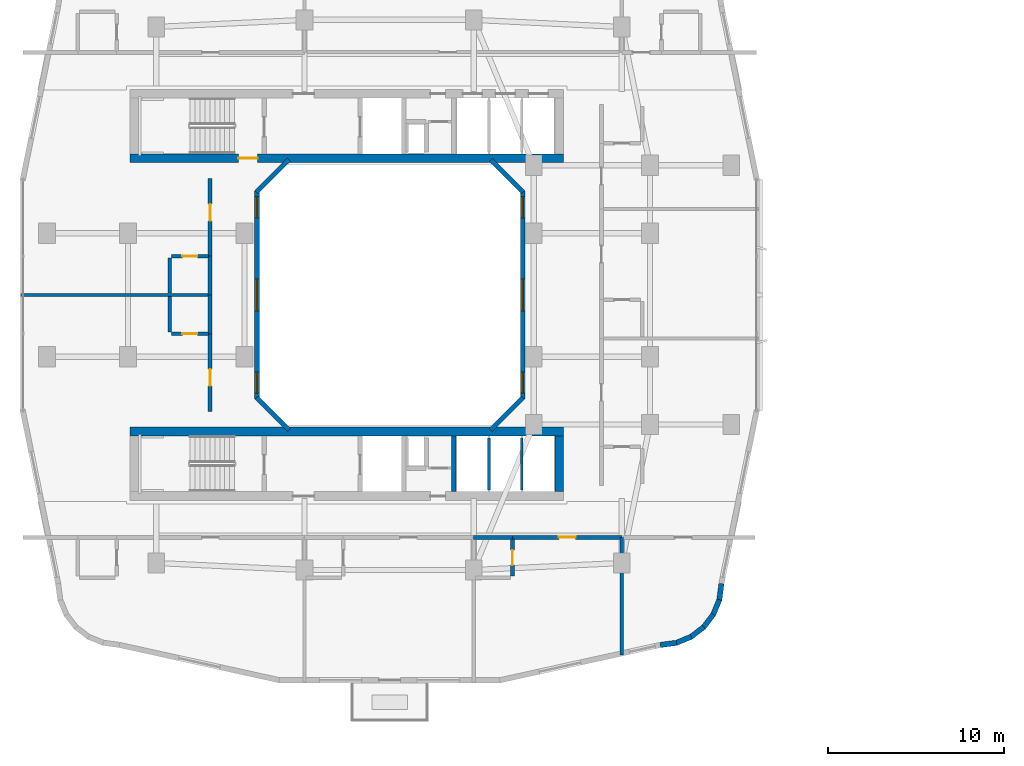
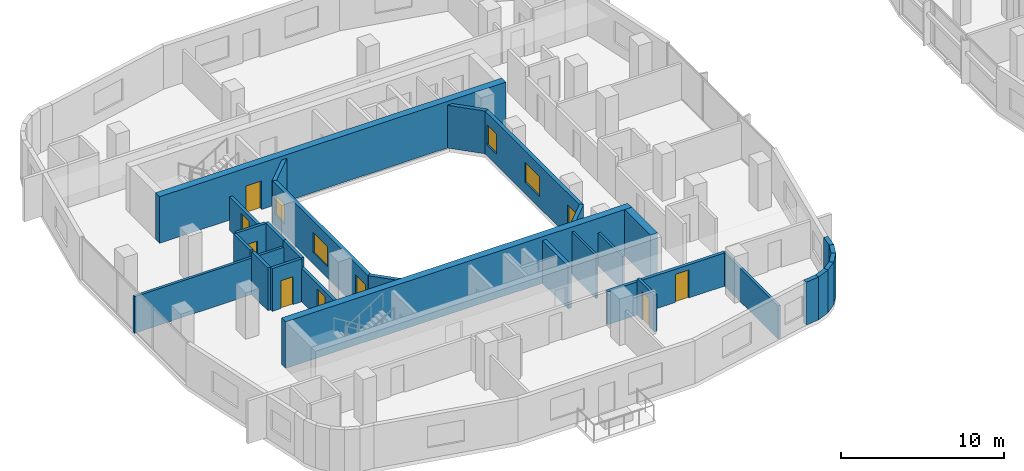
# One storey, part 9 of 22: 31 walls, 7 doors, 6 windows, 13 openings.
"""IFC4 building model written with IfcOpenShell, lengths in metres."""

import ifcopenshell
import ifcopenshell.guid

model = None  # the IFC model being written
_history = None  # IfcOwnerHistory: only IFC2X3 demands one
_inside = {}  # id of a spatial element -> (the spatial element, [elements in it])
_under = {}  # id of a project, library or spatial element -> (it, [spatial elements below it])
_declared = {}  # id of a project -> (the project, [libraries it declares])
_typed = {}  # id of a type object -> (the type object, [elements of that type])
_made_of = {}  # id of a material, layer set ... -> (it, [elements and type objects made of it])


def new_model(schema):
    """Start an empty IFC model of exactly this schema.

    Asked for "IFC4X3", IfcOpenShell would pick the latest addendum, in which some entities
    have other attributes; the version numbers below select the first issue.
    IFC2X3 requires an IfcOwnerHistory on every rooted entity: one is made here for all.
    """
    global model, _history
    if schema == "IFC4X3":
        model = ifcopenshell.file(schema_version=(4, 3, 0, 0))
    else:
        model = ifcopenshell.file(schema=schema)
    _inside.clear()
    _under.clear()
    _declared.clear()
    _typed.clear()
    _made_of.clear()
    _history = None
    if model.schema == "IFC2X3":
        org = make("IfcOrganization", Name="unknown")
        user = make(
            "IfcPersonAndOrganization",
            ThePerson=make("IfcPerson", FamilyName="unknown"),
            TheOrganization=org,
        )
        app = make(
            "IfcApplication",
            ApplicationDeveloper=org,
            Version="unknown",
            ApplicationFullName="unknown",
            ApplicationIdentifier="unknown",
        )
        _history = make(
            "IfcOwnerHistory",
            OwningUser=user,
            OwningApplication=app,
            ChangeAction="ADDED",
            CreationDate=0,
        )
    return model


def make(cls, **values):
    """One entity of the class cls with the attributes given. An attribute that is None is left unset."""
    return model.create_entity(
        cls, **{name: value for name, value in values.items() if value is not None}
    )


def rooted(cls, **values):
    """An entity with a GlobalId (a new one), such as an element, a storey or a relation."""
    return make(cls, GlobalId=ifcopenshell.guid.new(), OwnerHistory=_history, **values)


def si_unit(unit_type, name, prefix=None):
    """IfcSIUnit, for example si_unit("LENGTHUNIT", "METRE", prefix="MILLI")."""
    return make("IfcSIUnit", UnitType=unit_type, Prefix=prefix, Name=name)


def derived_unit(unit_type, elements):
    """IfcDerivedUnit: a product of units, each with its exponent."""
    return make(
        "IfcDerivedUnit",
        Elements=[
            make("IfcDerivedUnitElement", Unit=unit, Exponent=power)
            for unit, power in elements
        ],
        UnitType=unit_type,
    )


def assignment(units):
    """IfcUnitAssignment: the units of a project."""
    return None if units is None else make("IfcUnitAssignment", Units=units)


def point(xyz):
    """IfcCartesianPoint."""
    return None if xyz is None else make("IfcCartesianPoint", Coordinates=xyz)


def direction(xyz):
    """IfcDirection."""
    return None if xyz is None else make("IfcDirection", DirectionRatios=xyz)


def frame(location, z_axis=None, x_axis=None):
    """IfcAxis2Placement3D, a coordinate frame: its origin and axes. An axis left out is left unset."""
    return make(
        "IfcAxis2Placement3D",
        Location=point(location),
        Axis=direction(z_axis),
        RefDirection=direction(x_axis),
    )


def frame_2d(location, x_axis=None):
    """IfcAxis2Placement2D, a coordinate frame in the plane: its origin and x axis."""
    return make(
        "IfcAxis2Placement2D", Location=point(location), RefDirection=direction(x_axis)
    )


def origin():
    """The frame at (0, 0, 0) with its axes left unset."""
    return frame((0.0, 0.0, 0.0))


def place(relative_to, where):
    """IfcLocalPlacement: puts the frame where relative to a parent placement (None: the world)."""
    return make(
        "IfcLocalPlacement", PlacementRelTo=relative_to, RelativePlacement=where
    )


def context(
    kind, dimensions, precision=None, world=None, true_north=None, identifier=None
):
    """IfcGeometricRepresentationContext, for example the 3D "Model" context."""
    return make(
        "IfcGeometricRepresentationContext",
        ContextIdentifier=identifier,
        ContextType=kind,
        CoordinateSpaceDimension=dimensions,
        Precision=precision,
        WorldCoordinateSystem=world,
        TrueNorth=true_north,
    )


def subcontext(parent, identifier, kind, view, scale=None):
    """IfcGeometricRepresentationSubContext, for example "Body" below "Model"."""
    return make(
        "IfcGeometricRepresentationSubContext",
        ContextIdentifier=identifier,
        ContextType=kind,
        ParentContext=parent,
        TargetScale=scale,
        TargetView=view,
    )


def project(units=None, contexts=None):
    """IfcProject with its units and contexts."""
    return rooted(
        "IfcProject",
        Name="project",
        RepresentationContexts=contexts,
        UnitsInContext=assignment(units),
    )


def spatial(cls, under=None, at=None, **own):
    """A site, building, storey or space (cls), placed at a placement, below another one or the project."""
    s = rooted(cls, ObjectPlacement=at, **own)
    if under is not None:
        _under.setdefault(under.id(), (under, []))[1].append(s)
    return s


def profile(cls, at=None, kind="AREA", **sizes):
    """A parametric profile (cls). Its sizes go by their IFC names, for example OverallWidth=200.0."""
    return make(cls, ProfileType=kind, Position=at, **sizes)


def rectangle(**sizes):
    """IfcRectangleProfileDef."""
    return profile("IfcRectangleProfileDef", **sizes)


def extrude(swept, where, along, depth):
    """IfcExtrudedAreaSolid: the profile swept, set in the frame where, extruded along a direction by depth."""
    return make(
        "IfcExtrudedAreaSolid",
        SweptArea=swept,
        Position=where,
        ExtrudedDirection=direction(along),
        Depth=depth,
    )


def shape(context_of_items, identifier, shape_type, items):
    """IfcShapeRepresentation: the items that make up one representation, for example the "Body"."""
    return make(
        "IfcShapeRepresentation",
        ContextOfItems=context_of_items,
        RepresentationIdentifier=identifier,
        RepresentationType=shape_type,
        Items=items,
    )


def material(Name=None, Category=None):
    """IfcMaterial."""
    return make("IfcMaterial", Name=Name, Category=Category)


def layer(
    of_material, thickness, ventilated=None, Name=None, Category=None, Priority=None
):
    """IfcMaterialLayer: one layer of a wall or slab, of a material (None: an air gap)."""
    return make(
        "IfcMaterialLayer",
        Material=of_material,
        LayerThickness=thickness,
        IsVentilated=ventilated,
        Name=Name,
        Category=Category,
        Priority=Priority,
    )


def layer_set(layers, Name=None):
    """IfcMaterialLayerSet."""
    return make("IfcMaterialLayerSet", MaterialLayers=layers, LayerSetName=Name)


def made_of(thing, what):
    """Note that an element or type object is made of a material, layer set ...; save() writes the relation."""
    if what is not None:
        _made_of.setdefault(what.id(), (what, []))[1].append(thing)
    return thing


def type_object(cls, material=None, **own):
    """A type object (cls), such as IfcWallType, which elements share."""
    return made_of(rooted(cls, **own), material)


def element(
    cls,
    number,
    at=None,
    inside=None,
    cuts=None,
    type_object=None,
    material=None,
    context=None,
    identifier="Body",
    shape_type=None,
    held_by="IfcProductDefinitionShape",
    body=None,
    shapes=None,
    **own,
):
    """One element of the class cls, such as IfcWall. Its Tag is "e" and its number.

    at: its placement. inside: the storey or other place that contains it. cuts: it is an
    opening in that element (IfcRelVoidsElement). A single representation is given by context,
    identifier, shape_type and body (its items); several are given by shapes. held_by: the class
    of the entity that holds the representations. save() writes the other relations.
    """
    e = rooted(cls, Tag="e%d" % number, ObjectPlacement=at, **own)
    if body is not None:
        shapes = [shape(context, identifier, shape_type, body)]
    if shapes is not None:
        e.Representation = make(held_by, Representations=shapes)
    if inside is not None:
        _inside.setdefault(inside.id(), (inside, []))[1].append(e)
    if cuts is not None:
        rooted(
            "IfcRelVoidsElement", RelatingBuildingElement=cuts, RelatedOpeningElement=e
        )
    if type_object is not None:
        _typed.setdefault(type_object.id(), (type_object, []))[1].append(e)
    return made_of(e, material)


def fill(opening, filler):
    """IfcRelFillsElement: the door or window that sits in an opening."""
    return rooted(
        "IfcRelFillsElement",
        RelatingOpeningElement=opening,
        RelatedBuildingElement=filler,
    )


def aggregate(whole, parts):
    """IfcRelAggregates: a whole, such as a stair, and the parts it consists of."""
    return rooted("IfcRelAggregates", RelatingObject=whole, RelatedObjects=parts)


def save(model, path):
    """Write the relations noted so far, then the file.

    IfcRelAggregates (storeys below a building ...), IfcRelContainedInSpatialStructure (elements
    in a storey), IfcRelDefinesByType, IfcRelAssociatesMaterial and IfcRelDeclares: one each for
    every whole, place, type object, material and project.
    """
    for whole, parts in _under.values():
        aggregate(whole, parts)
    for where, things in _inside.values():
        rooted(
            "IfcRelContainedInSpatialStructure",
            RelatedElements=things,
            RelatingStructure=where,
        )
    for kind, things in _typed.values():
        rooted("IfcRelDefinesByType", RelatedObjects=things, RelatingType=kind)
    for what, things in _made_of.values():
        rooted("IfcRelAssociatesMaterial", RelatedObjects=things, RelatingMaterial=what)
    for by, libraries in _declared.values():
        rooted("IfcRelDeclares", RelatingContext=by, RelatedDefinitions=libraries)
    model.write(path)


model = new_model("IFC4")

# Units and contexts
model_context = context("Model", 3, precision=1e-05, world=origin(), true_north=direction((0.0, 1.0)))
body_context = subcontext(model_context, "Body", "Model", "MODEL_VIEW")
ifc_project = project(units=[si_unit("LENGTHUNIT", "METRE"), si_unit("AREAUNIT", "SQUARE_METRE"), si_unit("VOLUMEUNIT", "CUBIC_METRE"), si_unit("PLANEANGLEUNIT", "RADIAN"), si_unit("MASSUNIT", "GRAM", prefix="KILO"), derived_unit("THERMALTRANSMITTANCEUNIT", [(si_unit("POWERUNIT", "WATT"), 1), (si_unit("LENGTHUNIT", "METRE"), -2), (si_unit("THERMODYNAMICTEMPERATUREUNIT", "KELVIN"), -1)])], contexts=[model_context])

# Site, building, storey
site_placement = place(None, origin())
site = spatial("IfcSite", under=ifc_project, at=site_placement, CompositionType="ELEMENT")
building_placement = place(site_placement, origin())
building = spatial("IfcBuilding", under=site, at=building_placement, Name="Kivonza Crest Hotel", CompositionType="ELEMENT")
storey_placement = place(building_placement, frame((0.0, 0.0, 59.0)))
storey = spatial("IfcBuildingStorey", under=building, at=storey_placement, Name="L15", CompositionType="ELEMENT", Elevation=59.0)

# Walls
ifc_material_1 = material(Name="High-density acoustic masonry inter-tenancy wall", Category="masonry")
ifc_layer_1 = layer(ifc_material_1, 0.179931640625)
ifc_layer_set_1 = layer_set([ifc_layer_1], Name="High-density acoustic masonry inter-tenancy wall")
wall_type_1 = type_object("IfcWallType", Name="WL-ACOU-180", PredefinedType="SOLIDWALL", material=ifc_layer_set_1)
wall_1_placement = place(storey_placement, frame((34.199951171875, 4.575927734375, 0.0), z_axis=(0.0, 0.0, 1.0), x_axis=(0.0, 1.0, 0.0)))
element("IfcWall", 1, at=wall_1_placement, inside=storey, type_object=wall_type_1, Name="L15 interior partition WA-L15-T1S-DIV3", PredefinedType="SOLIDWALL", context=body_context, shape_type="SweptSolid", body=[
    extrude(rectangle(XDim=6.674072265625, YDim=0.179931640625, at=frame_2d((3.3369140625, 0.0))), origin(), (0.0, 0.0, 1.0), 2.4951171875),
])
wall_2_placement = place(storey_placement, frame((0.139892578125, 25.0, 0.0), z_axis=(0.0, 0.0, 1.0), x_axis=(1.0, 0.0, 0.0)))
element("IfcWall", 2, at=wall_2_placement, inside=storey, type_object=wall_type_1, Name="L15 interior partition WA-L15-T1W-DIV1", PredefinedType="SOLIDWALL", context=body_context, shape_type="SweptSolid", body=[
    extrude(rectangle(XDim=10.710205078125, YDim=0.179931640625, at=frame_2d((5.35498046875, 0.0))), origin(), (0.0, 0.0, 1.0), 2.7451171875),
])
ifc_material_2 = material(Name="Autoclaved aerated concrete blockwork", Category="masonry")
ifc_layer_2 = layer(ifc_material_2, 0.219970703125)
ifc_layer_set_2 = layer_set([ifc_layer_2], Name="Autoclaved aerated concrete blockwork")
wall_type_2 = type_object("IfcWallType", Name="WL-ACOU-220", PredefinedType="SOLIDWALL", material=ifc_layer_set_2)
wall_3_placement = place(storey_placement, frame((25.800048828125, 11.25, 0.0), z_axis=(0.0, 0.0, 1.0), x_axis=(1.0, 0.0, 0.0)))
element("IfcWall", 3, at=wall_3_placement, inside=storey, type_object=wall_type_2, Name="L15 interior partition WA-L15-S05-BCORR", PredefinedType="SOLIDWALL", context=body_context, shape_type="SweptSolid", body=[
    extrude(rectangle(XDim=2.199951171875, YDim=0.219970703125, at=frame_2d((1.10009765625, 0.0))), origin(), (0.0, 0.0, 1.0), 2.4951171875),
])

# Wall, opening, door
wall_4_placement = place(storey_placement, frame((28.0, 11.25, 0.0), z_axis=(0.0, 0.0, 1.0), x_axis=(1.0, 0.0, 0.0)))
wall_4 = element("IfcWall", 4, at=wall_4_placement, inside=storey, type_object=wall_type_2, Name="L15 interior partition WA-L15-S05-MCORR", PredefinedType="SOLIDWALL", context=body_context, shape_type="SweptSolid", body=[
    extrude(rectangle(XDim=6.199951171875, YDim=0.219970703125, at=frame_2d((3.10009765625, 0.0))), origin(), (0.0, 0.0, 1.0), 2.4951171875),
])
opening_1_placement = place(wall_4_placement, frame((2.625, 0.0, 0.0)))
opening_1 = element("IfcOpeningElement", 5, at=opening_1_placement, cuts=wall_4, Name="Opening DU-60", PredefinedType="OPENING", context=body_context, shape_type="SweptSolid", body=[
    extrude(rectangle(XDim=0.949951171875, YDim=2.10009765625, at=frame_2d((0.47509765625, 1.050048828125))), frame((0.0, 0.1201171875, 0.0), z_axis=(0.0, -1.0, 0.0), x_axis=(1.0, 0.0, 0.0)), (0.0, 0.0, 1.0), 0.239990234375),
])
ifc_material_3 = material(Name="Hardwood timber oak", Category="wood")
door_type_1 = type_object("IfcDoorType", Name="DR-UNIT-950", OperationType="NOTDEFINED", PredefinedType="DOOR", material=ifc_material_3)
door_1_placement = place(opening_1_placement, frame((0.949951171875, 0.0, 0.0), z_axis=(0.0, 0.0, 1.0), x_axis=(-1.0, 0.0, 0.0)))
door_1 = element("IfcDoor", 6, at=door_1_placement, inside=storey, type_object=door_type_1, Name="L15 S05 guest unit entrance fire door", OperationType="SINGLE_SWING_LEFT", OverallHeight=2.10009765625, OverallWidth=0.949951171875, PredefinedType="DOOR", context=body_context, shape_type="SweptSolid", body=[
    extrude(rectangle(XDim=0.949951171875, YDim=2.10009765625, at=frame_2d((0.47509765625, 1.050048828125))), frame((0.0, 0.02490234375, 0.0), z_axis=(0.0, -1.0, 0.0), x_axis=(1.0, 0.0, 0.0)), (0.0, 0.0, 1.0), 0.050048828125),
])
fill(opening_1, door_1)

# Wall
wall_5_placement = place(storey_placement, frame((10.85009765625, 22.800048828125, 0.0), z_axis=(0.0, 0.0, 1.0), x_axis=(0.0, 1.0, 0.0)))
element("IfcWall", 7, at=wall_5_placement, inside=storey, type_object=wall_type_2, Name="L15 interior partition WA-L15-W06-BCORR", PredefinedType="SOLIDWALL", context=body_context, shape_type="SweptSolid", body=[
    extrude(rectangle(XDim=2.199951171875, YDim=0.219970703125, at=frame_2d((1.10009765625, 0.0))), origin(), (0.0, 0.0, 1.0), 3.219970703125),
])

# Wall, opening, door
wall_6_placement = place(storey_placement, frame((10.85009765625, 18.39990234375, 0.0), z_axis=(0.0, 0.0, 1.0), x_axis=(0.0, 1.0, 0.0)))
wall_6 = element("IfcWall", 8, at=wall_6_placement, inside=storey, type_object=wall_type_2, Name="L15 interior partition WA-L15-W06-MCORR", PredefinedType="SOLIDWALL", context=body_context, shape_type="SweptSolid", body=[
    extrude(rectangle(XDim=4.400146484375, YDim=0.219970703125, at=frame_2d((2.2001953125, 0.0))), origin(), (0.0, 0.0, 1.0), 2.4951171875),
])
opening_2_placement = place(wall_6_placement, frame((1.445068359375, 0.0, 0.0)))
opening_2 = element("IfcOpeningElement", 9, at=opening_2_placement, cuts=wall_6, Name="Opening DU-60", PredefinedType="OPENING", context=body_context, shape_type="SweptSolid", body=[
    extrude(rectangle(XDim=0.949951171875, YDim=2.10009765625, at=frame_2d((0.47509765625, 1.050048828125))), frame((0.0, 0.1201171875, 0.0), z_axis=(0.0, -1.0, 0.0), x_axis=(1.0, 0.0, 0.0)), (0.0, 0.0, 1.0), 0.239990234375),
])
door_2_placement = place(opening_2_placement, origin())
door_2 = element("IfcDoor", 10, at=door_2_placement, inside=storey, type_object=door_type_1, Name="L15 W06 guest unit entrance fire door", OperationType="SINGLE_SWING_RIGHT", OverallHeight=2.10009765625, OverallWidth=0.949951171875, PredefinedType="DOOR", context=body_context, shape_type="SweptSolid", body=[
    extrude(rectangle(XDim=0.949951171875, YDim=2.10009765625, at=frame_2d((0.47509765625, 1.050048828125))), frame((0.0, 0.02490234375, 0.0), z_axis=(0.0, -1.0, 0.0), x_axis=(1.0, 0.0, 0.0)), (0.0, 0.0, 1.0), 0.050048828125),
])
fill(opening_2, door_2)

# Wall
wall_7_placement = place(storey_placement, frame((10.85009765625, 25.0, 0.0), z_axis=(0.0, 0.0, 1.0), x_axis=(0.0, 1.0, 0.0)))
element("IfcWall", 11, at=wall_7_placement, inside=storey, type_object=wall_type_2, Name="L15 interior partition WA-L15-W07-BCORR", PredefinedType="SOLIDWALL", context=body_context, shape_type="SweptSolid", body=[
    extrude(rectangle(XDim=2.199951171875, YDim=0.219970703125, at=frame_2d((1.10009765625, 0.0))), origin(), (0.0, 0.0, 1.0), 3.219970703125),
])

# Wall, opening, door
wall_8_placement = place(storey_placement, frame((10.85009765625, 27.199951171875, 0.0), z_axis=(0.0, 0.0, 1.0), x_axis=(0.0, 1.0, 0.0)))
wall_8 = element("IfcWall", 12, at=wall_8_placement, inside=storey, type_object=wall_type_2, Name="L15 interior partition WA-L15-W07-MCORR", PredefinedType="SOLIDWALL", context=body_context, shape_type="SweptSolid", body=[
    extrude(rectangle(XDim=4.400146484375, YDim=0.219970703125, at=frame_2d((2.2001953125, 0.0))), origin(), (0.0, 0.0, 1.0), 2.4951171875),
])
opening_3_placement = place(wall_8_placement, frame((2.0048828125, 0.0, 0.0)))
opening_3 = element("IfcOpeningElement", 13, at=opening_3_placement, cuts=wall_8, Name="Opening DU-60", PredefinedType="OPENING", context=body_context, shape_type="SweptSolid", body=[
    extrude(rectangle(XDim=0.949951171875, YDim=2.10009765625, at=frame_2d((0.47509765625, 1.050048828125))), frame((0.0, 0.1201171875, 0.0), z_axis=(0.0, -1.0, 0.0), x_axis=(1.0, 0.0, 0.0)), (0.0, 0.0, 1.0), 0.239990234375),
])
door_3_placement = place(opening_3_placement, origin())
door_3 = element("IfcDoor", 14, at=door_3_placement, inside=storey, type_object=door_type_1, Name="L15 W07 guest unit entrance fire door", OperationType="SINGLE_SWING_LEFT", OverallHeight=2.10009765625, OverallWidth=0.949951171875, PredefinedType="DOOR", context=body_context, shape_type="SweptSolid", body=[
    extrude(rectangle(XDim=0.949951171875, YDim=2.10009765625, at=frame_2d((0.47509765625, 1.050048828125))), frame((0.0, 0.02490234375, 0.0), z_axis=(0.0, -1.0, 0.0), x_axis=(1.0, 0.0, 0.0)), (0.0, 0.0, 1.0), 0.050048828125),
])
fill(opening_3, door_3)

ifc_material_4 = material(Name="Concrete C60/75", Category="concrete")
ifc_layer_3 = layer(ifc_material_4, 0.5)
ifc_layer_set_3 = layer_set([ifc_layer_3], Name="Concrete C60/75")
wall_type_3 = type_object("IfcWallType", Name="WL-CORE-500", PredefinedType="SHEAR", material=ifc_layer_set_3)
wall_9_placement = place(storey_placement, frame((6.300048828125, 32.75, 0.0), z_axis=(0.0, 0.0, 1.0), x_axis=(1.0, 0.0, 0.0)))
wall_9 = element("IfcWall", 15, at=wall_9_placement, inside=storey, type_object=wall_type_3, Name="Core wall T1-N South L15", PredefinedType="SHEAR", context=body_context, shape_type="SweptSolid", body=[
    extrude(rectangle(XDim=24.599853515625, YDim=0.5, at=frame_2d((12.2998046875, 0.0))), origin(), (0.0, 0.0, 1.0), 3.5),
])
opening_4_placement = place(wall_9_placement, frame((6.14990234375, 0.0, 0.0)))
opening_4 = element("IfcOpeningElement", 16, at=opening_4_placement, cuts=wall_9, Name="Opening DF-120", PredefinedType="OPENING", context=body_context, shape_type="SweptSolid", body=[
    extrude(rectangle(XDim=1.10009765625, YDim=2.14990234375, at=frame_2d((0.550048828125, 1.074951171875))), frame((0.0, 0.260009765625, 0.0), z_axis=(0.0, -1.0, 0.0), x_axis=(1.0, 0.0, 0.0)), (0.0, 0.0, 1.0), 0.52001953125),
])
ifc_material_5 = material(Name="Galvanised steel", Category="steel")
door_type_2 = type_object("IfcDoorType", Name="DR-FD120-1100", OperationType="NOTDEFINED", PredefinedType="DOOR", material=ifc_material_5)
door_4_placement = place(opening_4_placement, origin())
door_4 = element("IfcDoor", 17, at=door_4_placement, inside=storey, type_object=door_type_2, Name="L15 West corridor stair access fire door", OperationType="SINGLE_SWING_LEFT", OverallHeight=2.14990234375, OverallWidth=1.10009765625, PredefinedType="DOOR", context=body_context, shape_type="SweptSolid", body=[
    extrude(rectangle(XDim=1.10009765625, YDim=2.14990234375, at=frame_2d((0.550048828125, 1.074951171875))), frame((0.0, 0.02490234375, 0.0), z_axis=(0.0, -1.0, 0.0), x_axis=(1.0, 0.0, 0.0)), (0.0, 0.0, 1.0), 0.050048828125),
])
fill(opening_4, door_4)

# Walls
wall_10_placement = place(storey_placement, frame((6.300048828125, 17.25, 0.0), z_axis=(0.0, 0.0, 1.0), x_axis=(1.0, 0.0, 0.0)))
element("IfcWall", 18, at=wall_10_placement, inside=storey, type_object=wall_type_3, Name="Core wall T1-S North L15", PredefinedType="SHEAR", context=body_context, shape_type="SweptSolid", body=[
    extrude(rectangle(XDim=24.599853515625, YDim=0.5, at=frame_2d((12.2998046875, 0.0))), origin(), (0.0, 0.0, 1.0), 3.5),
])
wall_11_placement = place(storey_placement, frame((30.64990234375, 13.840087890625, 0.0), z_axis=(0.0, 0.0, 1.0), x_axis=(0.0, 1.0, 0.0)))
element("IfcWall", 19, at=wall_11_placement, inside=storey, type_object=wall_type_3, Name="Core wall T1-S East L15", PredefinedType="SHEAR", context=body_context, shape_type="SweptSolid", body=[
    extrude(rectangle(XDim=3.159912109375, YDim=0.5, at=frame_2d((1.580078125, 0.0))), origin(), (0.0, 0.0, 1.0), 3.5),
])
ifc_material_6 = material(Name="Precast concrete C40/50", Category="concrete")
ifc_layer_4 = layer(ifc_material_6, 0.260009765625)
ifc_layer_set_4 = layer_set([ifc_layer_4], Name="Precast concrete C40/50")
wall_type_4 = type_object("IfcWallType", Name="WL-EXT-260", PredefinedType="STANDARD", material=ifc_layer_set_4)
wall_12_placement = place(storey_placement, frame((26.761962890625, 17.337890625, 0.0), z_axis=(0.0, 0.0, 1.0), x_axis=(0.707059717605, 0.707153841636, 0.0)))
element("IfcWall", 20, at=wall_12_placement, inside=storey, type_object=wall_type_4, Name="L15 T1 light-well exterior wall 2", PredefinedType="STANDARD", context=body_context, shape_type="SweptSolid", body=[
    extrude(rectangle(XDim=2.59375, YDim=0.260009765625, at=frame_2d((1.296875, 0.0))), origin(), (0.0, 0.0, 1.0), 3.219970703125),
])

# Wall, openings, windows
wall_13_placement = place(storey_placement, frame((28.570068359375, 19.110107421875, 0.0), z_axis=(0.0, 0.0, 1.0), x_axis=(0.0, 1.0, 0.0)))
wall_13 = element("IfcWall", 21, at=wall_13_placement, inside=storey, type_object=wall_type_4, Name="L15 T1 light-well exterior wall 3", PredefinedType="STANDARD", context=body_context, shape_type="SweptSolid", body=[
    extrude(rectangle(XDim=11.77978515625, YDim=0.260009765625, at=frame_2d((5.889892578125, 0.0))), origin(), (0.0, 0.0, 1.0), 3.219970703125),
])
opening_5_placement = place(wall_13_placement, frame((0.318115234375, 0.0, 0.85009765625)))
opening_5 = element("IfcOpeningElement", 22, at=opening_5_placement, cuts=wall_13, Name="Opening WN-01", PredefinedType="OPENING", context=body_context, shape_type="SweptSolid", body=[
    extrude(rectangle(XDim=1.199951171875, YDim=1.5, at=frame_2d((0.60009765625, 0.75))), frame((0.0, 0.14013671875, 0.0), z_axis=(0.0, -1.0, 0.0), x_axis=(1.0, 0.0, 0.0)), (0.0, 0.0, 1.0), 0.280029296875),
])
opening_6_placement = place(wall_13_placement, frame((4.989990234375, 0.0, 0.85009765625)))
opening_6 = element("IfcOpeningElement", 23, at=opening_6_placement, cuts=wall_13, Name="Opening WN-03", PredefinedType="OPENING", context=body_context, shape_type="SweptSolid", body=[
    extrude(rectangle(XDim=1.800048828125, YDim=1.5, at=frame_2d((0.89990234375, 0.75))), frame((0.0, 0.14013671875, 0.0), z_axis=(0.0, -1.0, 0.0), x_axis=(1.0, 0.0, 0.0)), (0.0, 0.0, 1.0), 0.280029296875),
])
opening_7_placement = place(wall_13_placement, frame((10.262939453125, 0.0, 0.85009765625)))
opening_7 = element("IfcOpeningElement", 24, at=opening_7_placement, cuts=wall_13, Name="Opening WN-01", PredefinedType="OPENING", context=body_context, shape_type="SweptSolid", body=[
    extrude(rectangle(XDim=1.199951171875, YDim=1.5, at=frame_2d((0.60009765625, 0.75))), frame((0.0, 0.14013671875, 0.0), z_axis=(0.0, -1.0, 0.0), x_axis=(1.0, 0.0, 0.0)), (0.0, 0.0, 1.0), 0.280029296875),
])
ifc_material_7 = material(Name="Thermally broken bronze aluminium and low-E double glazing", Category="aluminium")
window_type_1 = type_object("IfcWindowType", Name="WN-120x150", PartitioningType="SINGLE_PANEL", PredefinedType="WINDOW", material=ifc_material_7)
window_1_placement = place(opening_5_placement, origin())
window_1 = element("IfcWindow", 25, at=window_1_placement, inside=storey, type_object=window_type_1, Name="L15 T1 light-well window 3 bay 1", OverallHeight=1.5, OverallWidth=1.199951171875, PartitioningType="SINGLE_PANEL", PredefinedType="WINDOW", context=body_context, shape_type="SweptSolid", body=[
    extrude(rectangle(XDim=1.199951171875, YDim=1.5, at=frame_2d((0.60009765625, 0.75))), frame((0.0, 0.030029296875, 0.0), z_axis=(0.0, -1.0, 0.0), x_axis=(1.0, 0.0, 0.0)), (0.0, 0.0, 1.0), 0.06005859375),
])
fill(opening_5, window_1)
window_2_placement = place(opening_7_placement, origin())
window_2 = element("IfcWindow", 26, at=window_2_placement, inside=storey, type_object=window_type_1, Name="L15 T1 light-well window 3 bay 3", OverallHeight=1.5, OverallWidth=1.199951171875, PartitioningType="SINGLE_PANEL", PredefinedType="WINDOW", context=body_context, shape_type="SweptSolid", body=[
    extrude(rectangle(XDim=1.199951171875, YDim=1.5, at=frame_2d((0.60009765625, 0.75))), frame((0.0, 0.030029296875, 0.0), z_axis=(0.0, -1.0, 0.0), x_axis=(1.0, 0.0, 0.0)), (0.0, 0.0, 1.0), 0.06005859375),
])
fill(opening_7, window_2)
window_type_2 = type_object("IfcWindowType", Name="WN-180x150", PartitioningType="DOUBLE_PANEL_VERTICAL", PredefinedType="WINDOW", material=ifc_material_7)
window_3_placement = place(opening_6_placement, origin())
window_3 = element("IfcWindow", 27, at=window_3_placement, inside=storey, type_object=window_type_2, Name="L15 T1 light-well window 3 bay 2", OverallHeight=1.5, OverallWidth=1.800048828125, PartitioningType="SINGLE_PANEL", PredefinedType="WINDOW", context=body_context, shape_type="SweptSolid", body=[
    extrude(rectangle(XDim=1.800048828125, YDim=1.5, at=frame_2d((0.89990234375, 0.75))), frame((0.0, 0.030029296875, 0.0), z_axis=(0.0, -1.0, 0.0), x_axis=(1.0, 0.0, 0.0)), (0.0, 0.0, 1.0), 0.06005859375),
])
fill(opening_6, window_3)

# Walls
wall_14_placement = place(storey_placement, frame((28.595947265625, 30.827880859375, 0.0), z_axis=(0.0, 0.0, 1.0), x_axis=(-0.707059717605, 0.707153841636, 0.0)))
element("IfcWall", 28, at=wall_14_placement, inside=storey, type_object=wall_type_4, Name="L15 T1 light-well exterior wall 4", PredefinedType="STANDARD", context=body_context, shape_type="SweptSolid", body=[
    extrude(rectangle(XDim=2.59375, YDim=0.260009765625, at=frame_2d((1.296875, 0.0))), origin(), (0.0, 0.0, 1.0), 3.219970703125),
])
wall_15_placement = place(storey_placement, frame((15.318115234375, 32.662109375, 0.0), z_axis=(0.0, 0.0, 1.0), x_axis=(-0.707106781187, -0.707106781187, 0.0)))
element("IfcWall", 29, at=wall_15_placement, inside=storey, type_object=wall_type_4, Name="L15 T1 light-well exterior wall 6", PredefinedType="STANDARD", context=body_context, shape_type="SweptSolid", body=[
    extrude(rectangle(XDim=2.593994140625, YDim=0.260009765625, at=frame_2d((1.296875, 0.0))), origin(), (0.0, 0.0, 1.0), 3.219970703125),
])

# Wall, openings, windows
wall_16_placement = place(storey_placement, frame((13.510009765625, 30.889892578125, 0.0), z_axis=(0.0, 0.0, 1.0), x_axis=(0.0, -1.0, 0.0)))
wall_16 = element("IfcWall", 30, at=wall_16_placement, inside=storey, type_object=wall_type_4, Name="L15 T1 light-well exterior wall 7", PredefinedType="STANDARD", context=body_context, shape_type="SweptSolid", body=[
    extrude(rectangle(XDim=11.77978515625, YDim=0.260009765625, at=frame_2d((5.889892578125, 0.0))), origin(), (0.0, 0.0, 1.0), 3.219970703125),
])
opening_8_placement = place(wall_16_placement, frame((0.318115234375, 0.0, 0.85009765625)))
opening_8 = element("IfcOpeningElement", 31, at=opening_8_placement, cuts=wall_16, Name="Opening WN-01", PredefinedType="OPENING", context=body_context, shape_type="SweptSolid", body=[
    extrude(rectangle(XDim=1.199951171875, YDim=1.5, at=frame_2d((0.60009765625, 0.75))), frame((0.0, 0.14013671875, 0.0), z_axis=(0.0, -1.0, 0.0), x_axis=(1.0, 0.0, 0.0)), (0.0, 0.0, 1.0), 0.280029296875),
])
opening_9_placement = place(wall_16_placement, frame((4.989990234375, 0.0, 0.85009765625)))
opening_9 = element("IfcOpeningElement", 32, at=opening_9_placement, cuts=wall_16, Name="Opening WN-03", PredefinedType="OPENING", context=body_context, shape_type="SweptSolid", body=[
    extrude(rectangle(XDim=1.800048828125, YDim=1.5, at=frame_2d((0.89990234375, 0.75))), frame((0.0, 0.14013671875, 0.0), z_axis=(0.0, -1.0, 0.0), x_axis=(1.0, 0.0, 0.0)), (0.0, 0.0, 1.0), 0.280029296875),
])
opening_10_placement = place(wall_16_placement, frame((10.262939453125, 0.0, 0.85009765625)))
opening_10 = element("IfcOpeningElement", 33, at=opening_10_placement, cuts=wall_16, Name="Opening WN-01", PredefinedType="OPENING", context=body_context, shape_type="SweptSolid", body=[
    extrude(rectangle(XDim=1.199951171875, YDim=1.5, at=frame_2d((0.60009765625, 0.75))), frame((0.0, 0.14013671875, 0.0), z_axis=(0.0, -1.0, 0.0), x_axis=(1.0, 0.0, 0.0)), (0.0, 0.0, 1.0), 0.280029296875),
])
window_4_placement = place(opening_8_placement, origin())
window_4 = element("IfcWindow", 34, at=window_4_placement, inside=storey, type_object=window_type_1, Name="L15 T1 light-well window 7 bay 1", OverallHeight=1.5, OverallWidth=1.199951171875, PartitioningType="SINGLE_PANEL", PredefinedType="WINDOW", context=body_context, shape_type="SweptSolid", body=[
    extrude(rectangle(XDim=1.199951171875, YDim=1.5, at=frame_2d((0.60009765625, 0.75))), frame((0.0, 0.030029296875, 0.0), z_axis=(0.0, -1.0, 0.0), x_axis=(1.0, 0.0, 0.0)), (0.0, 0.0, 1.0), 0.06005859375),
])
fill(opening_8, window_4)
window_5_placement = place(opening_10_placement, origin())
window_5 = element("IfcWindow", 35, at=window_5_placement, inside=storey, type_object=window_type_1, Name="L15 T1 light-well window 7 bay 3", OverallHeight=1.5, OverallWidth=1.199951171875, PartitioningType="SINGLE_PANEL", PredefinedType="WINDOW", context=body_context, shape_type="SweptSolid", body=[
    extrude(rectangle(XDim=1.199951171875, YDim=1.5, at=frame_2d((0.60009765625, 0.75))), frame((0.0, 0.030029296875, 0.0), z_axis=(0.0, -1.0, 0.0), x_axis=(1.0, 0.0, 0.0)), (0.0, 0.0, 1.0), 0.06005859375),
])
fill(opening_10, window_5)
window_6_placement = place(opening_9_placement, origin())
window_6 = element("IfcWindow", 36, at=window_6_placement, inside=storey, type_object=window_type_2, Name="L15 T1 light-well window 7 bay 2", OverallHeight=1.5, OverallWidth=1.800048828125, PartitioningType="SINGLE_PANEL", PredefinedType="WINDOW", context=body_context, shape_type="SweptSolid", body=[
    extrude(rectangle(XDim=1.800048828125, YDim=1.5, at=frame_2d((0.89990234375, 0.75))), frame((0.0, 0.030029296875, 0.0), z_axis=(0.0, -1.0, 0.0), x_axis=(1.0, 0.0, 0.0)), (0.0, 0.0, 1.0), 0.06005859375),
])
fill(opening_9, window_6)

# Walls
wall_17_placement = place(storey_placement, frame((13.48388671875, 19.172119140625, 0.0), z_axis=(0.0, 0.0, 1.0), x_axis=(0.707106781187, -0.707106781187, 0.0)))
element("IfcWall", 37, at=wall_17_placement, inside=storey, type_object=wall_type_4, Name="L15 T1 light-well exterior wall 8", PredefinedType="STANDARD", context=body_context, shape_type="SweptSolid", body=[
    extrude(rectangle(XDim=2.593994140625, YDim=0.260009765625, at=frame_2d((1.296875, 0.0))), origin(), (0.0, 0.0, 1.0), 3.219970703125),
])
ifc_layer_5 = layer(ifc_material_6, 0.300048828125)
ifc_layer_set_5 = layer_set([ifc_layer_5], Name="Precast concrete C40/50")
wall_type_5 = type_object("IfcWallType", Name="WL-EXT-300", PredefinedType="STANDARD", material=ifc_layer_set_5)
wall_18_placement = place(storey_placement, frame((36.3720703125, 5.14794921875, 0.0), z_axis=(0.0, 0.0, 1.0), x_axis=(0.991359246108, 0.131174864804, 0.0)))
element("IfcWall", 38, at=wall_18_placement, inside=storey, type_object=wall_type_5, Name="L15 T1 exterior insulated wall 10", PredefinedType="STANDARD", context=body_context, shape_type="SweptSolid", body=[
    extrude(rectangle(XDim=0.93798828125, YDim=0.300048828125, at=frame_2d((0.468994140625, 0.0))), origin(), (0.0, 0.0, 1.0), 3.219970703125),
])
wall_19_placement = place(storey_placement, frame((37.251953125, 5.251953125, 0.0), z_axis=(0.0, 0.0, 1.0), x_axis=(0.924019948111, 0.382344263057, 0.0)))
element("IfcWall", 39, at=wall_19_placement, inside=storey, type_object=wall_type_5, Name="L15 T1 exterior insulated wall 11", PredefinedType="STANDARD", context=body_context, shape_type="SweptSolid", body=[
    extrude(rectangle(XDim=0.95458984375, YDim=0.300048828125, at=frame_2d((0.477294921875, 0.0))), origin(), (0.0, 0.0, 1.0), 3.219970703125),
])
wall_20_placement = place(storey_placement, frame((38.089111328125, 5.5859375, 0.0), z_axis=(0.0, 0.0, 1.0), x_axis=(0.793573440799, 0.608474481025, 0.0)))
element("IfcWall", 40, at=wall_20_placement, inside=storey, type_object=wall_type_5, Name="L15 T1 exterior insulated wall 12", PredefinedType="STANDARD", context=body_context, shape_type="SweptSolid", body=[
    extrude(rectangle(XDim=0.954833984375, YDim=0.300048828125, at=frame_2d((0.4775390625, 0.0))), origin(), (0.0, 0.0, 1.0), 3.219970703125),
])
wall_21_placement = place(storey_placement, frame((38.81201171875, 6.125, 0.0), z_axis=(0.0, 0.0, 1.0), x_axis=(0.608351047625, 0.793668068435, 0.0)))
element("IfcWall", 41, at=wall_21_placement, inside=storey, type_object=wall_type_5, Name="L15 T1 exterior insulated wall 13", PredefinedType="STANDARD", context=body_context, shape_type="SweptSolid", body=[
    extrude(rectangle(XDim=0.955078125, YDim=0.300048828125, at=frame_2d((0.4775390625, 0.0))), origin(), (0.0, 0.0, 1.0), 3.219970703125),
])
wall_22_placement = place(storey_placement, frame((39.368896484375, 6.833984375, 0.0), z_axis=(0.0, 0.0, 1.0), x_axis=(0.382344263057, 0.924019948111, 0.0)))
element("IfcWall", 42, at=wall_22_placement, inside=storey, type_object=wall_type_5, Name="L15 T1 exterior insulated wall 14", PredefinedType="STANDARD", context=body_context, shape_type="SweptSolid", body=[
    extrude(rectangle(XDim=0.95458984375, YDim=0.300048828125, at=frame_2d((0.477294921875, 0.0))), origin(), (0.0, 0.0, 1.0), 3.219970703125),
])
wall_23_placement = place(storey_placement, frame((39.72509765625, 7.6630859375, 0.0), z_axis=(0.0, 0.0, 1.0), x_axis=(0.130454512571, 0.991454295543, 0.0)))
element("IfcWall", 43, at=wall_23_placement, inside=storey, type_object=wall_type_5, Name="L15 T1 exterior insulated wall 15", PredefinedType="STANDARD", context=body_context, shape_type="SweptSolid", body=[
    extrude(rectangle(XDim=0.97314453125, YDim=0.300048828125, at=frame_2d((0.486572265625, 0.0))), origin(), (0.0, 0.0, 1.0), 3.219970703125),
])
ifc_material_8 = material(Name="Twin-stud acoustic gypsum board partition", Category="gypsum")
ifc_layer_6 = layer(ifc_material_8, 0.14990234375)
ifc_layer_set_6 = layer_set([ifc_layer_6], Name="Twin-stud acoustic gypsum board partition")
wall_type_6 = type_object("IfcWallType", Name="WL-PART-150", PredefinedType="PARTITIONING", material=ifc_layer_set_6)
wall_24_placement = place(storey_placement, frame((26.6669921875, 13.93994140625, 0.0), z_axis=(0.0, 0.0, 1.0), x_axis=(0.0, 1.0, 0.0)))
element("IfcWall", 44, at=wall_24_placement, inside=storey, type_object=wall_type_6, Name="L15 interior partition WP-L15-T1-S-BSH-1", PredefinedType="PARTITIONING", context=body_context, shape_type="SweptSolid", body=[
    extrude(rectangle(XDim=2.9599609375, YDim=0.14990234375, at=frame_2d((1.47998046875, 0.0))), origin(), (0.0, 0.0, 1.0), 3.219970703125),
])
wall_25_placement = place(storey_placement, frame((28.532958984375, 13.93994140625, 0.0), z_axis=(0.0, 0.0, 1.0), x_axis=(0.0, 1.0, 0.0)))
element("IfcWall", 45, at=wall_25_placement, inside=storey, type_object=wall_type_6, Name="L15 interior partition WP-L15-T1-S-BSH-2", PredefinedType="PARTITIONING", context=body_context, shape_type="SweptSolid", body=[
    extrude(rectangle(XDim=2.9599609375, YDim=0.14990234375, at=frame_2d((1.47998046875, 0.0))), origin(), (0.0, 0.0, 1.0), 2.4951171875),
])

# Wall, opening, door
ifc_material_9 = material(Name="Moisture-resistant plumbing chase partition wall", Category="gypsum")
ifc_layer_7 = layer(ifc_material_9, 0.199951171875)
ifc_layer_set_7 = layer_set([ifc_layer_7], Name="Moisture-resistant plumbing chase partition wall")
wall_type_7 = type_object("IfcWallType", Name="WL-PLUMB-200", PredefinedType="PLUMBINGWALL", material=ifc_layer_set_7)
wall_26_placement = place(storey_placement, frame((28.0, 9.050048828125, 0.0), z_axis=(0.0, 0.0, 1.0), x_axis=(0.0, 1.0, 0.0)))
wall_26 = element("IfcWall", 46, at=wall_26_placement, inside=storey, type_object=wall_type_7, Name="L15 interior partition WW-L15-S05-BV", PredefinedType="PLUMBINGWALL", context=body_context, shape_type="SweptSolid", body=[
    extrude(rectangle(XDim=2.099853515625, YDim=0.199951171875, at=frame_2d((1.0498046875, 0.0))), origin(), (0.0, 0.0, 1.0), 2.7451171875),
])
opening_11_placement = place(wall_26_placement, frame((0.625, 0.0, 0.0)))
opening_11 = element("IfcOpeningElement", 47, at=opening_11_placement, cuts=wall_26, Name="Opening DI-85", PredefinedType="OPENING", context=body_context, shape_type="SweptSolid", body=[
    extrude(rectangle(XDim=0.85009765625, YDim=2.10009765625, at=frame_2d((0.425048828125, 1.050048828125))), frame((0.0, 0.10986328125, 0.0), z_axis=(0.0, -1.0, 0.0), x_axis=(1.0, 0.0, 0.0)), (0.0, 0.0, 1.0), 0.219970703125),
])
door_type_3 = type_object("IfcDoorType", Name="DR-INT-850", OperationType="NOTDEFINED", PredefinedType="DOOR", material=ifc_material_3)
door_5_placement = place(opening_11_placement, frame((0.85009765625, 0.0, 0.0), z_axis=(0.0, 0.0, 1.0), x_axis=(-1.0, 0.0, 0.0)))
door_5 = element("IfcDoor", 48, at=door_5_placement, inside=storey, type_object=door_type_3, Name="L15 S05 en-suite bathroom door", OperationType="SINGLE_SWING_RIGHT", OverallHeight=2.10009765625, OverallWidth=0.85009765625, PredefinedType="DOOR", context=body_context, shape_type="SweptSolid", body=[
    extrude(rectangle(XDim=0.85009765625, YDim=2.10009765625, at=frame_2d((0.425048828125, 1.050048828125))), frame((0.0, 0.02490234375, 0.0), z_axis=(0.0, -1.0, 0.0), x_axis=(1.0, 0.0, 0.0)), (0.0, 0.0, 1.0), 0.050048828125),
])
fill(opening_11, door_5)

wall_27_placement = place(storey_placement, frame((8.64990234375, 22.800048828125, 0.0), z_axis=(0.0, 0.0, 1.0), x_axis=(1.0, 0.0, 0.0)))
wall_27 = element("IfcWall", 49, at=wall_27_placement, inside=storey, type_object=wall_type_7, Name="L15 interior partition WW-L15-W06-BH", PredefinedType="PLUMBINGWALL", context=body_context, shape_type="SweptSolid", body=[
    extrude(rectangle(XDim=2.10009765625, YDim=0.199951171875, at=frame_2d((1.050048828125, 0.0))), origin(), (0.0, 0.0, 1.0), 3.219970703125),
])
opening_12_placement = place(wall_27_placement, frame((0.625, 0.0, 0.0)))
opening_12 = element("IfcOpeningElement", 50, at=opening_12_placement, cuts=wall_27, Name="Opening DI-85", PredefinedType="OPENING", context=body_context, shape_type="SweptSolid", body=[
    extrude(rectangle(XDim=0.85009765625, YDim=2.10009765625, at=frame_2d((0.425048828125, 1.050048828125))), frame((0.0, 0.10986328125, 0.0), z_axis=(0.0, -1.0, 0.0), x_axis=(1.0, 0.0, 0.0)), (0.0, 0.0, 1.0), 0.219970703125),
])
door_6_placement = place(opening_12_placement, frame((0.85009765625, 0.0, 0.0), z_axis=(0.0, 0.0, 1.0), x_axis=(-1.0, 0.0, 0.0)))
door_6 = element("IfcDoor", 51, at=door_6_placement, inside=storey, type_object=door_type_3, Name="L15 W06 en-suite bathroom door", OperationType="SINGLE_SWING_LEFT", OverallHeight=2.10009765625, OverallWidth=0.85009765625, PredefinedType="DOOR", context=body_context, shape_type="SweptSolid", body=[
    extrude(rectangle(XDim=0.85009765625, YDim=2.10009765625, at=frame_2d((0.425048828125, 1.050048828125))), frame((0.0, 0.02490234375, 0.0), z_axis=(0.0, -1.0, 0.0), x_axis=(1.0, 0.0, 0.0)), (0.0, 0.0, 1.0), 0.050048828125),
])
fill(opening_12, door_6)

# Wall
wall_28_placement = place(storey_placement, frame((8.550048828125, 22.89990234375, 0.0), z_axis=(0.0, 0.0, 1.0), x_axis=(0.0, 1.0, 0.0)))
element("IfcWall", 52, at=wall_28_placement, inside=storey, type_object=wall_type_7, Name="L15 interior partition WW-L15-W06-BV", PredefinedType="PLUMBINGWALL", context=body_context, shape_type="SweptSolid", body=[
    extrude(rectangle(XDim=2.0, YDim=0.199951171875, at=frame_2d((1.0, 0.0))), origin(), (0.0, 0.0, 1.0), 3.219970703125),
])

# Wall, opening, door
wall_29_placement = place(storey_placement, frame((8.64990234375, 27.199951171875, 0.0), z_axis=(0.0, 0.0, 1.0), x_axis=(1.0, 0.0, 0.0)))
wall_29 = element("IfcWall", 53, at=wall_29_placement, inside=storey, type_object=wall_type_7, Name="L15 interior partition WW-L15-W07-BH", PredefinedType="PLUMBINGWALL", context=body_context, shape_type="SweptSolid", body=[
    extrude(rectangle(XDim=2.10009765625, YDim=0.199951171875, at=frame_2d((1.050048828125, 0.0))), origin(), (0.0, 0.0, 1.0), 3.219970703125),
])
opening_13_placement = place(wall_29_placement, frame((0.625, 0.0, 0.0)))
opening_13 = element("IfcOpeningElement", 54, at=opening_13_placement, cuts=wall_29, Name="Opening DI-85", PredefinedType="OPENING", context=body_context, shape_type="SweptSolid", body=[
    extrude(rectangle(XDim=0.85009765625, YDim=2.10009765625, at=frame_2d((0.425048828125, 1.050048828125))), frame((0.0, 0.10986328125, 0.0), z_axis=(0.0, -1.0, 0.0), x_axis=(1.0, 0.0, 0.0)), (0.0, 0.0, 1.0), 0.219970703125),
])
door_7_placement = place(opening_13_placement, origin())
door_7 = element("IfcDoor", 55, at=door_7_placement, inside=storey, type_object=door_type_3, Name="L15 W07 en-suite bathroom door", OperationType="SINGLE_SWING_RIGHT", OverallHeight=2.10009765625, OverallWidth=0.85009765625, PredefinedType="DOOR", context=body_context, shape_type="SweptSolid", body=[
    extrude(rectangle(XDim=0.85009765625, YDim=2.10009765625, at=frame_2d((0.425048828125, 1.050048828125))), frame((0.0, 0.02490234375, 0.0), z_axis=(0.0, -1.0, 0.0), x_axis=(1.0, 0.0, 0.0)), (0.0, 0.0, 1.0), 0.050048828125),
])
fill(opening_13, door_7)

# Walls
wall_30_placement = place(storey_placement, frame((8.550048828125, 25.10009765625, 0.0), z_axis=(0.0, 0.0, 1.0), x_axis=(0.0, 1.0, 0.0)))
element("IfcWall", 56, at=wall_30_placement, inside=storey, type_object=wall_type_7, Name="L15 interior partition WW-L15-W07-BV", PredefinedType="PLUMBINGWALL", context=body_context, shape_type="SweptSolid", body=[
    extrude(rectangle(XDim=2.0, YDim=0.199951171875, at=frame_2d((1.0, 0.0))), origin(), (0.0, 0.0, 1.0), 3.219970703125),
])
ifc_material_10 = material(Name="Concrete C50/60", Category="concrete")
ifc_layer_8 = layer(ifc_material_10, 0.25)
ifc_layer_set_8 = layer_set([ifc_layer_8], Name="Concrete C50/60")
wall_type_8 = type_object("IfcWallType", Name="WL-SHAFT-250", PredefinedType="STANDARD", material=ifc_layer_set_8)
wall_31_placement = place(storey_placement, frame((24.675048828125, 13.840087890625, 0.0), z_axis=(0.0, 0.0, 1.0), x_axis=(0.0, 1.0, 0.0)))
element("IfcWall", 57, at=wall_31_placement, inside=storey, type_object=wall_type_8, Name="Core shaft wall T1-S BANK-W L15", PredefinedType="STANDARD", context=body_context, shape_type="SweptSolid", body=[
    extrude(rectangle(XDim=3.159912109375, YDim=0.25, at=frame_2d((1.580078125, 0.0))), origin(), (0.0, 0.0, 1.0), 3.219970703125),
])

save(model, "model.ifc")
